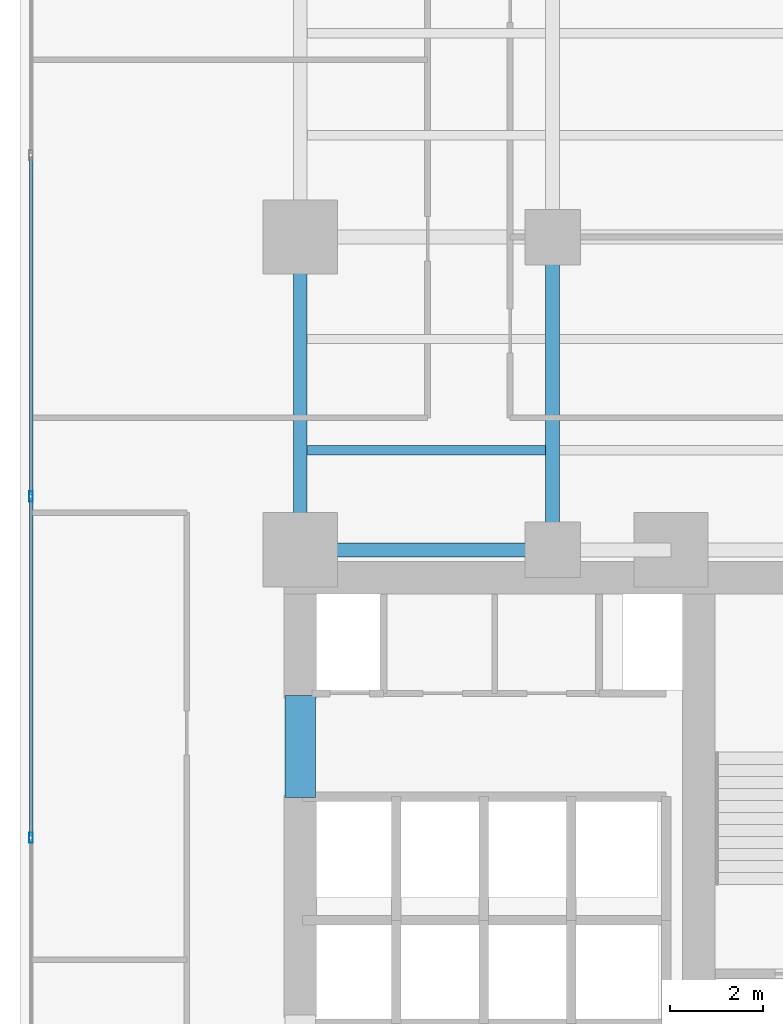
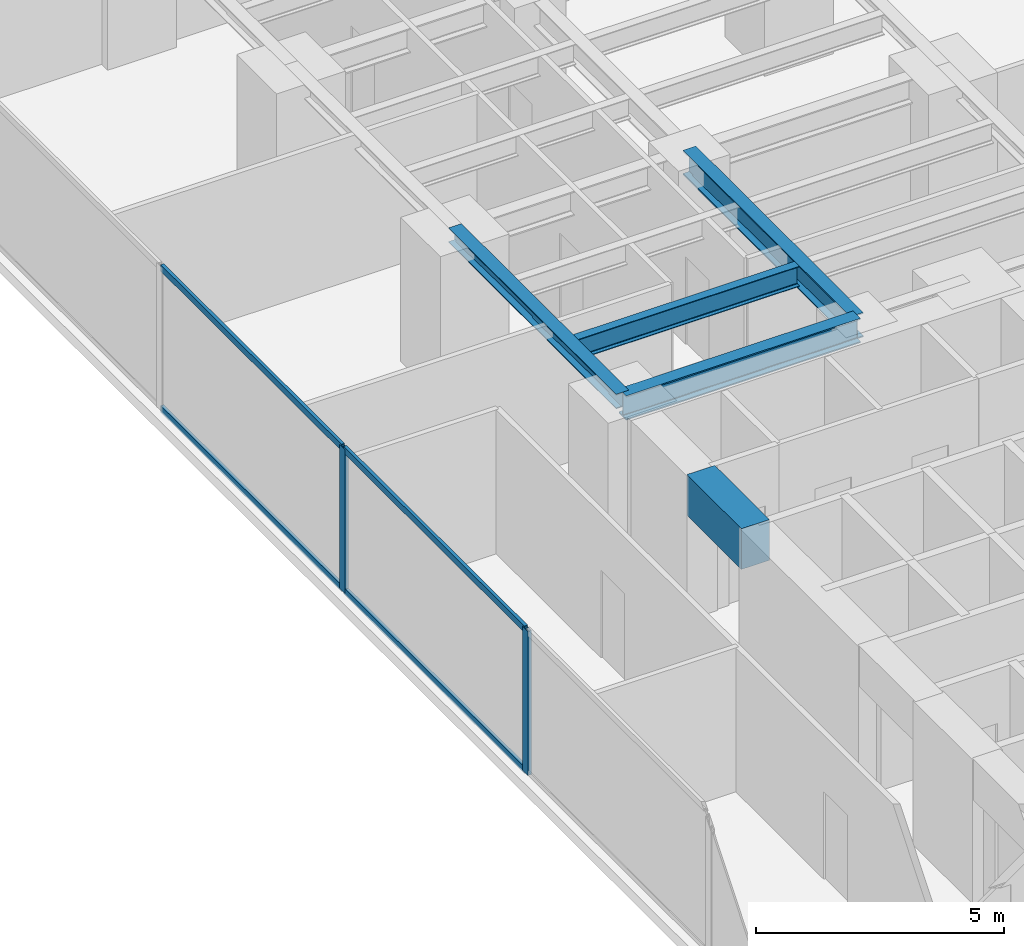
# One storey, part 6 of 28: 6 members, 5 beams, 1 element without a shape of its own.
"""IFC4 building model written with IfcOpenShell, lengths in metres."""

from ifc_helpers import new_model, si_unit, direction, frame, origin, origin_with_axes, origin_2d, place, context, subcontext, project, spatial, rectangle, hollow_rectangle, i_section, extrude, source, transform, mapped, material, layer, layer_set, material_profile, profile_set, type_object, element, aggregate, save


model = new_model("IFC4")

# Units and contexts
model_context = context("Model", 3, precision=1e-05, world=origin(), true_north=direction((0.0, 1.0)))
body_context = subcontext(model_context, "Body", "Model", "MODEL_VIEW")
ifc_project = project(units=[si_unit("LENGTHUNIT", "METRE"), si_unit("AREAUNIT", "SQUARE_METRE"), si_unit("VOLUMEUNIT", "CUBIC_METRE"), si_unit("PLANEANGLEUNIT", "RADIAN"), si_unit("MASSUNIT", "GRAM", prefix="KILO")], contexts=[model_context])

# Site, building, storey
site_placement = place(None, origin())
site = spatial("IfcSite", under=ifc_project, at=site_placement, CompositionType="ELEMENT")
building_placement = place(site_placement, origin())
building = spatial("IfcBuilding", under=site, at=building_placement, Name="Kolvaren Waterfront Exchange", CompositionType="ELEMENT")
storey_placement = place(building_placement, frame((0.0, 0.0, 41.0)))
storey = spatial("IfcBuildingStorey", under=building, at=storey_placement, Name="L10", CompositionType="ELEMENT", Elevation=41.0)

# Beams
ifc_material_1 = material(Name="Steel S355", Category="steel")
ifc_material_profile_1 = material_profile(ifc_material_1, i_section(OverallWidth=0.300048828125, OverallDepth=0.360107421875, WebThickness=0.012451171875, FlangeThickness=0.0224609375, FilletRadius=0.027099609375, at=origin_2d()), Name="HEB360")
ifc_profile_set_1 = profile_set([ifc_material_profile_1], Name="Steel S355")
beam_type_1 = type_object("IfcBeamType", Name="STR-BM-HEB360", PredefinedType="SPANDREL", material=ifc_profile_set_1)
beam_1_placement = place(storey_placement, frame((7.449951171875, 24.449951171875, 3.360107421875), z_axis=(0.0, 1.0, 0.0), x_axis=(-1.0, 0.0, 0.0)))
element("IfcBeam", 1, at=beam_1_placement, inside=storey, type_object=beam_type_1, Name="L10 north-arm edge beam 1", PredefinedType="SPANDREL", context=body_context, shape_type="SweptSolid", body=[
    extrude(i_section(OverallWidth=0.300048828125, OverallDepth=0.360107421875, WebThickness=0.012451171875, FlangeThickness=0.0224609375, FilletRadius=0.027099609375, at=origin_2d()), origin(), (0.0, 0.0, 1.0), 6.75),
])
ifc_material_profile_2 = material_profile(ifc_material_1, i_section(OverallWidth=0.300048828125, OverallDepth=0.60009765625, WebThickness=0.015380859375, FlangeThickness=0.030029296875, FilletRadius=0.027099609375, at=origin_2d()), Name="HEB600")
ifc_profile_set_2 = profile_set([ifc_material_profile_2], Name="Steel S355")
beam_type_2 = type_object("IfcBeamType", Name="STR-BM-HEB600", PredefinedType="BEAM", material=ifc_profile_set_2)
beam_2_placement = place(storey_placement, frame((7.449951171875, 24.449951171875, 3.239990234375), z_axis=(1.0, 0.0, 0.0), x_axis=(0.0, 1.0, 0.0)))
element("IfcBeam", 2, at=beam_2_placement, inside=storey, type_object=beam_type_2, Name="L10 north-arm girder 1A", PredefinedType="BEAM", context=body_context, shape_type="SweptSolid", body=[
    extrude(i_section(OverallWidth=0.300048828125, OverallDepth=0.60009765625, WebThickness=0.015380859375, FlangeThickness=0.030029296875, FilletRadius=0.027099609375, at=origin_2d()), origin(), (0.0, 0.0, 1.0), 5.449951171875),
])
beam_3_placement = place(storey_placement, frame((12.89990234375, 24.449951171875, 3.239990234375), z_axis=(0.0, 1.0, 0.0), x_axis=(-1.0, 0.0, 0.0)))
element("IfcBeam", 3, at=beam_3_placement, inside=storey, type_object=beam_type_2, Name="L10 north-arm edge beam 1", PredefinedType="BEAM", context=body_context, shape_type="SweptSolid", body=[
    extrude(i_section(OverallWidth=0.300048828125, OverallDepth=0.60009765625, WebThickness=0.015380859375, FlangeThickness=0.030029296875, FilletRadius=0.027099609375, at=origin_2d()), origin(), (0.0, 0.0, 1.0), 6.75),
])
ifc_material_profile_3 = material_profile(ifc_material_1, i_section(OverallWidth=0.199951171875, OverallDepth=0.5, WebThickness=0.01025390625, FlangeThickness=0.01611328125, FilletRadius=0.02099609375, at=origin_2d()), Name="IPE500")
ifc_profile_set_3 = profile_set([ifc_material_profile_3], Name="Steel S355")
beam_type_3 = type_object("IfcBeamType", Name="STR-BM-IPE500", PredefinedType="JOIST", material=ifc_profile_set_3)
beam_4_placement = place(storey_placement, frame((7.60205078125, 26.60009765625, 3.2900390625), z_axis=(1.0, 0.0, 0.0), x_axis=(0.0, 1.0, 0.0)))
element("IfcBeam", 4, at=beam_4_placement, inside=storey, type_object=beam_type_3, Name="L10 north-arm composite joist 1A", PredefinedType="JOIST", context=body_context, shape_type="SweptSolid", body=[
    extrude(i_section(OverallWidth=0.199951171875, OverallDepth=0.5, WebThickness=0.01025390625, FlangeThickness=0.01611328125, FilletRadius=0.02099609375, at=origin_2d()), origin(), (0.0, 0.0, 1.0), 5.14599609375),
])
ifc_material_2 = material(Name="Concrete C60/75", Category="concrete")
ifc_material_profile_4 = material_profile(ifc_material_2, rectangle(XDim=0.64990234375, YDim=1.0, at=origin_2d()), Name="RC-CB-1000x650")
ifc_profile_set_4 = profile_set([ifc_material_profile_4], Name="Concrete C60/75")
beam_type_4 = type_object("IfcBeamType", Name="STR-CB-1000", PredefinedType="SPANDREL", material=ifc_profile_set_4)
beam_5_placement = place(storey_placement, frame((7.449951171875, 19.10009765625, 3.0400390625), z_axis=(0.0, 1.0, 0.0), x_axis=(-1.0, 0.0, 0.0)))
element("IfcBeam", 5, at=beam_5_placement, inside=storey, type_object=beam_type_4, Name="L10 core coupling beam 5", PredefinedType="SPANDREL", context=body_context, shape_type="SweptSolid", body=[
    extrude(rectangle(XDim=0.64990234375, YDim=1.0, at=origin_2d()), origin(), (0.0, 0.0, 1.0), 2.199951171875),
])

# Curtain wall, members
ifc_material_3 = material(Name="Anodised aluminium 6063-T6", Category="aluminium")
ifc_layer = layer(ifc_material_3, 0.219970703125, Name="Anodised aluminium 6063-T6")
ifc_layer_set = layer_set([ifc_layer], Name="Anodised aluminium 6063-T6")
curtain_wall_type = type_object("IfcCurtainWallType", Name="ARC-CW-SYS2", PredefinedType="USERDEFINED", material=ifc_layer_set)
curtain_wall_placement = place(storey_placement, origin())
curtain_wall = element("IfcCurtainWall", 6, at=curtain_wall_placement, inside=storey, type_object=curtain_wall_type, Name="L10 stick curtain wall CW2 (CW-L10-W)", ObjectType="STICK CURTAIN WALL", PredefinedType="USERDEFINED")
ifc_material_profile_5 = material_profile(ifc_material_3, hollow_rectangle(XDim=0.074951171875, YDim=0.159912109375, WallThickness=0.00439453125, at=origin_2d()), Name="ALU-TRN-160x75x4.5")
ifc_profile_set_5 = profile_set([ifc_material_profile_5], Name="Anodised aluminium 6063-T6")
member_type_1 = type_object("IfcMemberType", Name="ARC-CWT-160", PredefinedType="USERDEFINED", material=ifc_profile_set_5)
shared_shape_1 = source(origin_with_axes(), body_context, "Body", "SweptSolid", [
    extrude(hollow_rectangle(XDim=0.074951171875, YDim=0.159912109375, WallThickness=0.00439453125, at=origin_2d()), origin(), (0.0, 0.0, 1.0), 7.28662109375),
])
member_1_placement = place(storey_placement, frame((1.639892578125, 18.2734375, 0.03759765625), z_axis=(0.0, 1.0, 0.0), x_axis=(-1.0, 0.0, 0.0)))
member_1 = element("IfcMember", 7, at=member_1_placement, type_object=member_type_1, Name="CW2 transom 3.1", ObjectType="TRANSOM", PredefinedType="USERDEFINED", context=body_context, shape_type="MappedRepresentation", body=[
    mapped(shared_shape_1, transform((0.0, 0.0, 0.0), x_axis=(1.0, 0.0, 0.0), y_axis=(0.0, 1.0, 0.0), z_axis=(0.0, 0.0, 1.0), scale=1.0)),
])
member_2_placement = place(storey_placement, frame((1.639892578125, 18.2734375, 3.50244140625), z_axis=(0.0, 1.0, 0.0), x_axis=(-1.0, 0.0, 0.0)))
member_2 = element("IfcMember", 8, at=member_2_placement, type_object=member_type_1, Name="CW2 transom 3.2", ObjectType="TRANSOM", PredefinedType="USERDEFINED", context=body_context, shape_type="MappedRepresentation", body=[
    mapped(shared_shape_1, transform((0.0, 0.0, 0.0), x_axis=(1.0, 0.0, 0.0), y_axis=(0.0, 1.0, 0.0), z_axis=(0.0, 0.0, 1.0), scale=1.0)),
])
shared_shape_2 = source(origin_with_axes(), body_context, "Body", "SweptSolid", [
    extrude(hollow_rectangle(XDim=0.074951171875, YDim=0.159912109375, WallThickness=0.00439453125, at=origin_2d()), origin(), (0.0, 0.0, 1.0), 7.286865234375),
])
member_3_placement = place(storey_placement, frame((1.639892578125, 25.639892578125, 0.03759765625), z_axis=(0.0, 1.0, 0.0), x_axis=(-1.0, 0.0, 0.0)))
member_3 = element("IfcMember", 9, at=member_3_placement, type_object=member_type_1, Name="CW2 transom 4.1", ObjectType="TRANSOM", PredefinedType="USERDEFINED", context=body_context, shape_type="MappedRepresentation", body=[
    mapped(shared_shape_2, transform((0.0, 0.0, 0.0), x_axis=(1.0, 0.0, 0.0), y_axis=(0.0, 1.0, 0.0), z_axis=(0.0, 0.0, 1.0), scale=1.0)),
])
member_4_placement = place(storey_placement, frame((1.639892578125, 25.639892578125, 3.50244140625), z_axis=(0.0, 1.0, 0.0), x_axis=(-1.0, 0.0, 0.0)))
member_4 = element("IfcMember", 10, at=member_4_placement, type_object=member_type_1, Name="CW2 transom 4.2", ObjectType="TRANSOM", PredefinedType="USERDEFINED", context=body_context, shape_type="MappedRepresentation", body=[
    mapped(shared_shape_2, transform((0.0, 0.0, 0.0), x_axis=(1.0, 0.0, 0.0), y_axis=(0.0, 1.0, 0.0), z_axis=(0.0, 0.0, 1.0), scale=1.0)),
])
ifc_material_profile_6 = material_profile(ifc_material_3, hollow_rectangle(XDim=0.080078125, YDim=0.219970703125, WallThickness=0.0048828125, at=origin_2d()), Name="ALU-MUL-220x80x5")
ifc_profile_set_6 = profile_set([ifc_material_profile_6], Name="Anodised aluminium 6063-T6")
member_type_2 = type_object("IfcMemberType", Name="ARC-CWM-220", PredefinedType="MULLION", material=ifc_profile_set_6)
shared_shape_3 = source(origin_with_axes(), body_context, "Body", "SweptSolid", [
    extrude(hollow_rectangle(XDim=0.080078125, YDim=0.219970703125, WallThickness=0.0048828125, at=origin_2d()), origin(), (0.0, 0.0, 1.0), 3.5400390625),
])
member_5_placement = place(storey_placement, frame((1.639892578125, 18.2333984375, 0.0), z_axis=(0.0, 0.0, 1.0), x_axis=(-1.0, 0.0, 0.0)))
member_5 = element("IfcMember", 11, at=member_5_placement, type_object=member_type_2, Name="CW2 mullion 3", PredefinedType="MULLION", context=body_context, shape_type="MappedRepresentation", body=[
    mapped(shared_shape_3, transform((0.0, 0.0, 0.0), x_axis=(1.0, 0.0, 0.0), y_axis=(0.0, 1.0, 0.0), z_axis=(0.0, 0.0, 1.0), scale=1.0)),
])
member_6_placement = place(storey_placement, frame((1.639892578125, 25.60009765625, 0.0), z_axis=(0.0, 0.0, 1.0), x_axis=(-1.0, 0.0, 0.0)))
member_6 = element("IfcMember", 12, at=member_6_placement, type_object=member_type_2, Name="CW2 mullion 4", PredefinedType="MULLION", context=body_context, shape_type="MappedRepresentation", body=[
    mapped(shared_shape_3, transform((0.0, 0.0, 0.0), x_axis=(1.0, 0.0, 0.0), y_axis=(0.0, 1.0, 0.0), z_axis=(0.0, 0.0, 1.0), scale=1.0)),
])
aggregate(curtain_wall, [member_5, member_6, member_1, member_2, member_3, member_4])

save(model, "model.ifc")
